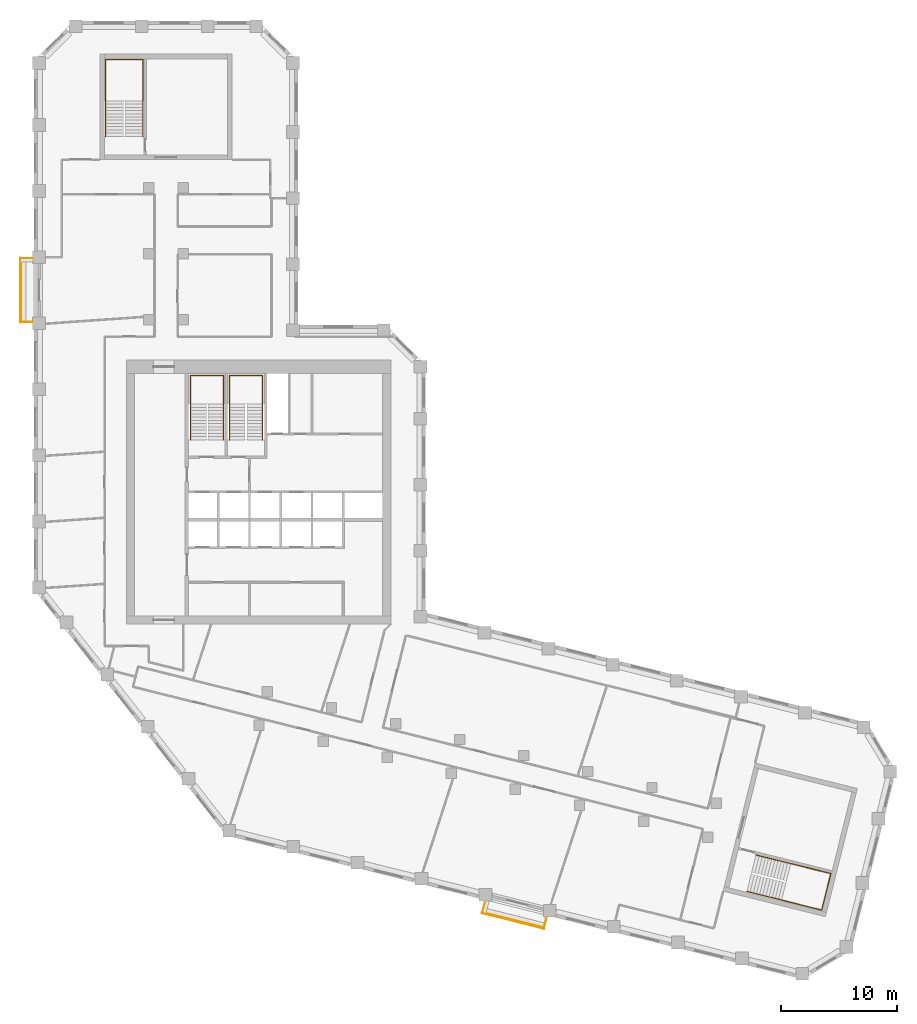
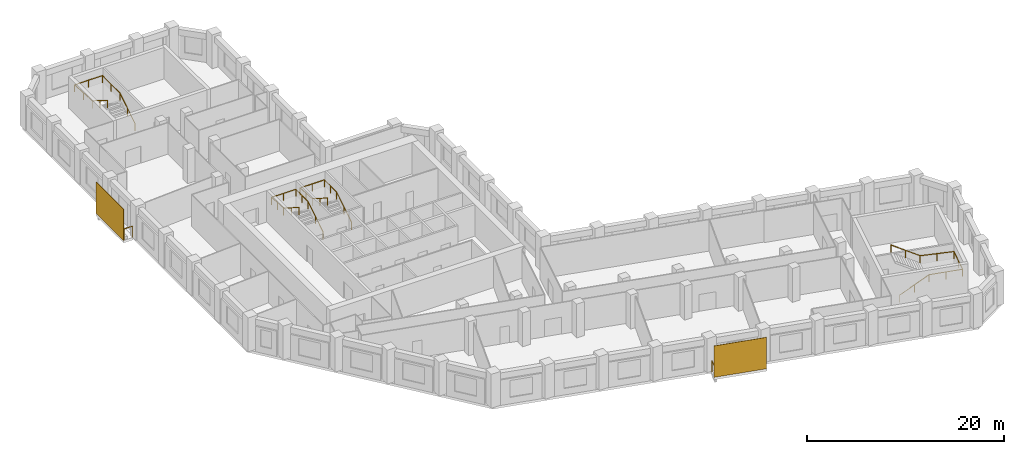
# One storey, part 10 of 10: 6 railings, 2 shading devices.
"""IFC4 building model written with IfcOpenShell, lengths in metres."""

from ifc_helpers import new_model, si_unit, direction, frame, origin, origin_2d, place, context, subcontext, project, spatial, rectangle, circle, extrude, material, layer, layer_set, type_object, element, save


model = new_model("IFC4")

# Units and contexts
model_context = context("Model", 3, precision=1e-05, world=origin(), true_north=direction((0.0, 1.0)))
body_context = subcontext(model_context, "Body", "Model", "MODEL_VIEW")
ifc_project = project(units=[si_unit("LENGTHUNIT", "METRE"), si_unit("AREAUNIT", "SQUARE_METRE"), si_unit("VOLUMEUNIT", "CUBIC_METRE"), si_unit("PLANEANGLEUNIT", "RADIAN"), si_unit("MASSUNIT", "GRAM", prefix="KILO")], contexts=[model_context])

# Site, building, storey
site_placement = place(None, origin())
site = spatial("IfcSite", under=ifc_project, at=site_placement, CompositionType="ELEMENT")
building_placement = place(site_placement, origin())
building = spatial("IfcBuilding", under=site, at=building_placement, Name="Meshkara Civic Tower", CompositionType="ELEMENT")
storey_placement = place(building_placement, frame((0.0, 0.0, 238.199951171875)))
storey = spatial("IfcBuildingStorey", under=building, at=storey_placement, Name="L54", CompositionType="ELEMENT", Elevation=238.199951171875)

# Railings
ifc_material_1 = material(Name="Steel S355", Category="steel")
railing_type_1 = type_object("IfcRailingType", Name="BALUSTRADE GUARD 1400", PredefinedType="BALUSTRADE", material=ifc_material_1)
railing_1_placement = place(storey_placement, frame((-0.10009765625, 45.635009765625, 0.0)))
element("IfcRailing", 1, at=railing_1_placement, inside=storey, type_object=railing_type_1, Name="Balcony guard", PredefinedType="BALUSTRADE", context=body_context, shape_type="SweptSolid", body=[
    extrude(circle(Radius=0.02392578125, at=origin_2d()), frame((0.0, 0.0, 1.3759765625), z_axis=(-1.0, 0.0, 0.0), x_axis=(0.0, -1.0, 0.0)), (0.0, 0.0, 1.0), 1.010009765625),
    extrude(circle(Radius=0.02392578125, at=origin_2d()), frame((-1.010009765625, 0.0, 1.3759765625), z_axis=(0.0, -1.0, 0.0), x_axis=(1.0, 0.0, 0.0)), (0.0, 0.0, 1.0), 5.4599609375),
    extrude(circle(Radius=0.02392578125, at=origin_2d()), frame((-1.010009765625, -5.4599609375, 1.3759765625), z_axis=(1.0, 0.0, 0.0), x_axis=(0.0, 1.0, 0.0)), (0.0, 0.0, 1.0), 1.010009765625),
    extrude(circle(Radius=0.02099609375, at=origin_2d()), origin(), (0.0, 0.0, 1.0), 1.351806640625),
    extrude(circle(Radius=0.02099609375, at=origin_2d()), frame((-1.010009765625, 0.0, 0.0)), (0.0, 0.0, 1.0), 1.351806640625),
    extrude(circle(Radius=0.02099609375, at=origin_2d()), frame((-1.010009765625, -1.092041015625, 0.0)), (0.0, 0.0, 1.0), 1.351806640625),
    extrude(circle(Radius=0.02099609375, at=origin_2d()), frame((-1.010009765625, -2.18408203125, 0.0)), (0.0, 0.0, 1.0), 1.351806640625),
    extrude(circle(Radius=0.02099609375, at=origin_2d()), frame((-1.010009765625, -3.27587890625, 0.0)), (0.0, 0.0, 1.0), 1.351806640625),
    extrude(circle(Radius=0.02099609375, at=origin_2d()), frame((-1.010009765625, -4.367919921875, 0.0)), (0.0, 0.0, 1.0), 1.351806640625),
    extrude(circle(Radius=0.02099609375, at=origin_2d()), frame((-1.010009765625, -5.4599609375, 0.0)), (0.0, 0.0, 1.0), 1.351806640625),
    extrude(circle(Radius=0.02099609375, at=origin_2d()), frame((0.0, -5.4599609375, 0.0)), (0.0, 0.0, 1.0), 1.351806640625),
])
railing_2_placement = place(storey_placement, frame((38.928955078125, -9.928955078125, 0.0)))
element("IfcRailing", 2, at=railing_2_placement, inside=storey, type_object=railing_type_1, Name="Balcony guard", PredefinedType="BALUSTRADE", context=body_context, shape_type="SweptSolid", body=[
    extrude(circle(Radius=0.02392578125, at=origin_2d()), frame((0.0, 0.0, 1.3759765625), z_axis=(-0.241828319243, -0.97031905269, 0.0), x_axis=(0.97031905269, -0.241828319243, 0.0)), (0.0, 0.0, 1.0), 0.8935546875),
    extrude(circle(Radius=0.02392578125, at=origin_2d()), frame((-0.216064453125, -0.866943359375, 1.3759765625), z_axis=(0.970292231073, -0.24193591366, 0.0), x_axis=(0.24193591366, 0.970292231073, 0.0)), (0.0, 0.0, 1.0), 5.460205078125),
    extrude(circle(Radius=0.02392578125, at=origin_2d()), frame((5.08203125, -2.18798828125, 1.3759765625), z_axis=(0.241828319243, 0.97031905269, 0.0), x_axis=(-0.97031905269, 0.241828319243, 0.0)), (0.0, 0.0, 1.0), 0.8935546875),
    extrude(circle(Radius=0.02099609375, at=origin_2d()), origin(), (0.0, 0.0, 1.0), 1.351806640625),
    extrude(circle(Radius=0.02099609375, at=origin_2d()), frame((-0.216064453125, -0.866943359375, 0.0)), (0.0, 0.0, 1.0), 1.351806640625),
    extrude(circle(Radius=0.02099609375, at=origin_2d()), frame((0.843505859375, -1.131103515625, 0.0)), (0.0, 0.0, 1.0), 1.351806640625),
    extrude(circle(Radius=0.02099609375, at=origin_2d()), frame((1.903076171875, -1.395263671875, 0.0)), (0.0, 0.0, 1.0), 1.351806640625),
    extrude(circle(Radius=0.02099609375, at=origin_2d()), frame((2.962890625, -1.65966796875, 0.0)), (0.0, 0.0, 1.0), 1.351806640625),
    extrude(circle(Radius=0.02099609375, at=origin_2d()), frame((4.0224609375, -1.923828125, 0.0)), (0.0, 0.0, 1.0), 1.351806640625),
    extrude(circle(Radius=0.02099609375, at=origin_2d()), frame((5.08203125, -2.18798828125, 0.0)), (0.0, 0.0, 1.0), 1.351806640625),
    extrude(circle(Radius=0.02099609375, at=origin_2d()), frame((5.298095703125, -1.321044921875, 0.0)), (0.0, 0.0, 1.0), 1.351806640625),
])

# Shading devices
ifc_material_2 = material(Name="Perforated bronze anodised aluminium sheet", Category="aluminium")
ifc_layer = layer(ifc_material_2, 0.0400390625)
ifc_layer_set = layer_set([ifc_layer], Name="PERFORATED BRONZE SCREEN")
shading_device_type = type_object("IfcShadingDeviceType", Name="PERFORATED BRONZE SCREEN", PredefinedType="USERDEFINED", material=ifc_layer_set)
for number, where, z_axis, x_axis, name in (
    (3, (-1.179931640625, 42.905029296875, 0.0), (0.0, 0.0, 1.0), (0.0, -1.0, 0.0), "Balcony screen"),
    (4, (41.344970703125, -11.52392578125, 0.0), (0.0, 0.0, 1.0), (0.970299948462, -0.241904960708, 0.0), "Balcony screen"),
):
    element("IfcShadingDevice", number, at=place(storey_placement, frame(where, z_axis=z_axis, x_axis=x_axis)), inside=storey, type_object=shading_device_type, Name=name, ObjectType="SCREEN", PredefinedType="USERDEFINED", context=body_context, shape_type="SweptSolid", body=[
        extrude(rectangle(XDim=5.580078125, YDim=0.0400390625, at=origin_2d()), origin(), (0.0, 0.0, 1.0), 3.89990234375),
    ])

# Railings
ifc_material_3 = material(Name="Steel handrail", Category="steel")
railing_type_2 = type_object("IfcRailingType", Name="Stair handrail 900", PredefinedType="HANDRAIL", material=ifc_material_3)
railing_3_placement = place(storey_placement, frame((16.375, 30.0, 0.175048828125)))
element("IfcRailing", 5, at=railing_3_placement, inside=storey, type_object=railing_type_2, Name="L54 ST1 stair handrail 1", PredefinedType="HANDRAIL", context=body_context, shape_type="SweptSolid", body=[
    extrude(circle(Radius=0.02392578125, at=origin_2d()), frame((0.0, 0.0, 0.8759765625), z_axis=(0.0, 0.847998304005, 0.529998940003), x_axis=(-1.0, 0.0, 0.0)), (0.0, 0.0, 1.0), 3.632080078125),
    extrude(circle(Radius=0.02392578125, at=origin_2d()), frame((0.0, 3.080078125, 2.80078125), z_axis=(0.0, 1.0, 0.0), x_axis=(-1.0, 0.0, 0.0)), (0.0, 0.0, 1.0), 2.469970703125),
    extrude(circle(Radius=0.02392578125, at=origin_2d()), frame((0.0, 5.550048828125, 2.80078125), z_axis=(-1.0, 0.0, 0.0), x_axis=(0.0, -1.0, 0.0)), (0.0, 0.0, 1.0), 2.85009765625),
    extrude(circle(Radius=0.02392578125, at=origin_2d()), frame((-2.85009765625, 5.550048828125, 2.80078125), z_axis=(0.0, -0.997498084828, 0.070693498747), x_axis=(1.0, 0.0, 0.0)), (0.0, 0.0, 1.0), 2.47607421875),
    extrude(circle(Radius=0.02392578125, at=origin_2d()), frame((-2.85009765625, 3.080078125, 2.97607421875), z_axis=(0.0, -0.848028513186, 0.529950602248), x_axis=(1.0, 0.0, 0.0)), (0.0, 0.0, 1.0), 3.632080078125),
    extrude(circle(Radius=0.02099609375, at=origin_2d()), origin(), (0.0, 0.0, 1.0), 0.851806640625),
    extrude(circle(Radius=0.02099609375, at=origin_2d()), frame((0.0, 1.5400390625, 0.96240234375)), (0.0, 0.0, 1.0), 0.851806640625),
    extrude(circle(Radius=0.02099609375, at=origin_2d()), frame((0.0, 3.080078125, 1.925048828125)), (0.0, 0.0, 1.0), 0.851806640625),
    extrude(circle(Radius=0.02099609375, at=origin_2d()), frame((0.0, 4.31494140625, 1.925048828125)), (0.0, 0.0, 1.0), 0.851806640625),
    extrude(circle(Radius=0.02099609375, at=origin_2d()), frame((0.0, 5.550048828125, 1.925048828125)), (0.0, 0.0, 1.0), 0.851806640625),
    extrude(circle(Radius=0.02099609375, at=origin_2d()), frame((-1.425048828125, 5.550048828125, 1.925048828125)), (0.0, 0.0, 1.0), 0.851806640625),
    extrude(circle(Radius=0.02099609375, at=origin_2d()), frame((-2.85009765625, 5.550048828125, 1.925048828125)), (0.0, 0.0, 1.0), 0.851806640625),
    extrude(circle(Radius=0.02099609375, at=origin_2d()), frame((-2.85009765625, 4.31494140625, 2.0126953125)), (0.0, 0.0, 1.0), 0.851806640625),
    extrude(circle(Radius=0.02099609375, at=origin_2d()), frame((-2.85009765625, 3.080078125, 2.10009765625)), (0.0, 0.0, 1.0), 0.851806640625),
    extrude(circle(Radius=0.02099609375, at=origin_2d()), frame((-2.85009765625, 1.5400390625, 3.0625)), (0.0, 0.0, 1.0), 0.851806640625),
    extrude(circle(Radius=0.02099609375, at=origin_2d()), frame((-2.85009765625, 0.0, 4.02490234375)), (0.0, 0.0, 1.0), 0.851806640625),
])
railing_4_placement = place(storey_placement, frame((19.72509765625, 30.0, 0.175048828125)))
element("IfcRailing", 6, at=railing_4_placement, inside=storey, type_object=railing_type_2, Name="L54 ST2 stair handrail 1", PredefinedType="HANDRAIL", context=body_context, shape_type="SweptSolid", body=[
    extrude(circle(Radius=0.02392578125, at=origin_2d()), frame((0.0, 0.0, 0.8759765625), z_axis=(0.0, 0.847998304005, 0.529998940003), x_axis=(-1.0, 0.0, 0.0)), (0.0, 0.0, 1.0), 3.632080078125),
    extrude(circle(Radius=0.02392578125, at=origin_2d()), frame((0.0, 3.080078125, 2.80078125), z_axis=(0.0, 1.0, 0.0), x_axis=(-1.0, 0.0, 0.0)), (0.0, 0.0, 1.0), 2.469970703125),
    extrude(circle(Radius=0.02392578125, at=origin_2d()), frame((0.0, 5.550048828125, 2.80078125), z_axis=(-1.0, 0.0, 0.0), x_axis=(0.0, -1.0, 0.0)), (0.0, 0.0, 1.0), 2.85009765625),
    extrude(circle(Radius=0.02392578125, at=origin_2d()), frame((-2.85009765625, 5.550048828125, 2.80078125), z_axis=(0.0, -0.997498084828, 0.070693498747), x_axis=(1.0, 0.0, 0.0)), (0.0, 0.0, 1.0), 2.47607421875),
    extrude(circle(Radius=0.02392578125, at=origin_2d()), frame((-2.85009765625, 3.080078125, 2.97607421875), z_axis=(0.0, -0.848028513186, 0.529950602248), x_axis=(1.0, 0.0, 0.0)), (0.0, 0.0, 1.0), 3.632080078125),
    extrude(circle(Radius=0.02099609375, at=origin_2d()), origin(), (0.0, 0.0, 1.0), 0.851806640625),
    extrude(circle(Radius=0.02099609375, at=origin_2d()), frame((0.0, 1.5400390625, 0.96240234375)), (0.0, 0.0, 1.0), 0.851806640625),
    extrude(circle(Radius=0.02099609375, at=origin_2d()), frame((0.0, 3.080078125, 1.925048828125)), (0.0, 0.0, 1.0), 0.851806640625),
    extrude(circle(Radius=0.02099609375, at=origin_2d()), frame((0.0, 4.31494140625, 1.925048828125)), (0.0, 0.0, 1.0), 0.851806640625),
    extrude(circle(Radius=0.02099609375, at=origin_2d()), frame((0.0, 5.550048828125, 1.925048828125)), (0.0, 0.0, 1.0), 0.851806640625),
    extrude(circle(Radius=0.02099609375, at=origin_2d()), frame((-1.425048828125, 5.550048828125, 1.925048828125)), (0.0, 0.0, 1.0), 0.851806640625),
    extrude(circle(Radius=0.02099609375, at=origin_2d()), frame((-2.85009765625, 5.550048828125, 1.925048828125)), (0.0, 0.0, 1.0), 0.851806640625),
    extrude(circle(Radius=0.02099609375, at=origin_2d()), frame((-2.85009765625, 4.31494140625, 2.0126953125)), (0.0, 0.0, 1.0), 0.851806640625),
    extrude(circle(Radius=0.02099609375, at=origin_2d()), frame((-2.85009765625, 3.080078125, 2.10009765625)), (0.0, 0.0, 1.0), 0.851806640625),
    extrude(circle(Radius=0.02099609375, at=origin_2d()), frame((-2.85009765625, 1.5400390625, 3.0625)), (0.0, 0.0, 1.0), 0.851806640625),
    extrude(circle(Radius=0.02099609375, at=origin_2d()), frame((-2.85009765625, 0.0, 4.02490234375)), (0.0, 0.0, 1.0), 0.851806640625),
])
railing_5_placement = place(storey_placement, frame((9.425048828125, 56.169921875, 0.175048828125)))
element("IfcRailing", 7, at=railing_5_placement, inside=storey, type_object=railing_type_2, Name="L54 ESA4 stair handrail 1", PredefinedType="HANDRAIL", context=body_context, shape_type="SweptSolid", body=[
    extrude(circle(Radius=0.02392578125, at=origin_2d()), frame((0.0, 0.0, 0.8759765625), z_axis=(0.0, 0.847998304005, 0.529998940003), x_axis=(-1.0, 0.0, 0.0)), (0.0, 0.0, 1.0), 3.632080078125),
    extrude(circle(Radius=0.02392578125, at=origin_2d()), frame((0.0, 3.080078125, 2.80078125), z_axis=(0.0, 1.0, 0.0), x_axis=(-1.0, 0.0, 0.0)), (0.0, 0.0, 1.0), 3.570068359375),
    extrude(circle(Radius=0.02392578125, at=origin_2d()), frame((0.0, 6.650146484375, 2.80078125), z_axis=(-1.0, 0.0, 0.0), x_axis=(0.0, -1.0, 0.0)), (0.0, 0.0, 1.0), 3.25),
    extrude(circle(Radius=0.02392578125, at=origin_2d()), frame((-3.25, 6.650146484375, 2.80078125), z_axis=(0.0, -0.998800077689, 0.048973511297), x_axis=(1.0, 0.0, 0.0)), (0.0, 0.0, 1.0), 3.574462890625),
    extrude(circle(Radius=0.02392578125, at=origin_2d()), frame((-3.25, 3.080078125, 2.97607421875), z_axis=(0.0, -0.848028513186, 0.529950602248), x_axis=(1.0, 0.0, 0.0)), (0.0, 0.0, 1.0), 3.632080078125),
    extrude(circle(Radius=0.02099609375, at=origin_2d()), origin(), (0.0, 0.0, 1.0), 0.851806640625),
    extrude(circle(Radius=0.02099609375, at=origin_2d()), frame((0.0, 1.5400390625, 0.96240234375)), (0.0, 0.0, 1.0), 0.851806640625),
    extrude(circle(Radius=0.02099609375, at=origin_2d()), frame((0.0, 3.080078125, 1.925048828125)), (0.0, 0.0, 1.0), 0.851806640625),
    extrude(circle(Radius=0.02099609375, at=origin_2d()), frame((0.0, 4.865234375, 1.925048828125)), (0.0, 0.0, 1.0), 0.851806640625),
    extrude(circle(Radius=0.02099609375, at=origin_2d()), frame((0.0, 6.650146484375, 1.925048828125)), (0.0, 0.0, 1.0), 0.851806640625),
    extrude(circle(Radius=0.02099609375, at=origin_2d()), frame((-1.625, 6.650146484375, 1.925048828125)), (0.0, 0.0, 1.0), 0.851806640625),
    extrude(circle(Radius=0.02099609375, at=origin_2d()), frame((-3.25, 6.650146484375, 1.925048828125)), (0.0, 0.0, 1.0), 0.851806640625),
    extrude(circle(Radius=0.02099609375, at=origin_2d()), frame((-3.25, 4.865234375, 2.0126953125)), (0.0, 0.0, 1.0), 0.851806640625),
    extrude(circle(Radius=0.02099609375, at=origin_2d()), frame((-3.25, 3.080078125, 2.10009765625)), (0.0, 0.0, 1.0), 0.851806640625),
    extrude(circle(Radius=0.02099609375, at=origin_2d()), frame((-3.25, 1.5400390625, 3.0625)), (0.0, 0.0, 1.0), 0.851806640625),
    extrude(circle(Radius=0.02099609375, at=origin_2d()), frame((-3.25, 0.0, 4.02490234375)), (0.0, 0.0, 1.0), 0.851806640625),
])
railing_6_placement = place(storey_placement, frame((61.526123046875, -8.97607421875, 0.175048828125)))
element("IfcRailing", 8, at=railing_6_placement, inside=storey, type_object=railing_type_2, Name="L54 ESB4 stair handrail 1", PredefinedType="HANDRAIL", context=body_context, shape_type="SweptSolid", body=[
    extrude(circle(Radius=0.02392578125, at=origin_2d()), frame((0.0, 0.0, 0.8759765625), z_axis=(0.822771605551, -0.205222362071, 0.530028930537), x_axis=(0.242013336109, 0.97027292302, 0.0)), (0.0, 0.0, 1.0), 3.632080078125),
    extrude(circle(Radius=0.02392578125, at=origin_2d()), frame((2.98828125, -0.745361328125, 2.80078125), z_axis=(0.97025503065, -0.242085058395, 0.0), x_axis=(0.242085058395, 0.97025503065, 0.0)), (0.0, 0.0, 1.0), 3.570068359375),
    extrude(circle(Radius=0.02392578125, at=origin_2d()), frame((6.4521484375, -1.609619140625, 2.80078125), z_axis=(0.242040676986, 0.970266103027, 0.0), x_axis=(-0.970266103027, 0.242040676986, 0.0)), (0.0, 0.0, 1.0), 3.25),
    extrude(circle(Radius=0.02392578125, at=origin_2d()), frame((7.23876953125, 1.543701171875, 2.80078125), z_axis=(-0.969086635977, 0.241810579499, 0.04897688856), x_axis=(-0.24210112213, -0.970251022501, 0.0)), (0.0, 0.0, 1.0), 3.57421875),
    extrude(circle(Radius=0.02392578125, at=origin_2d()), frame((3.775146484375, 2.407958984375, 2.97607421875), z_axis=(-0.822822630281, 0.20521832287, 0.52995127989), x_axis=(-0.24199472324, -0.970277565403, 0.0)), (0.0, 0.0, 1.0), 3.632080078125),
    extrude(circle(Radius=0.02099609375, at=origin_2d()), origin(), (0.0, 0.0, 1.0), 0.851806640625),
    extrude(circle(Radius=0.02099609375, at=origin_2d()), frame((1.494140625, -0.37255859375, 0.96240234375)), (0.0, 0.0, 1.0), 0.851806640625),
    extrude(circle(Radius=0.02099609375, at=origin_2d()), frame((2.98828125, -0.745361328125, 1.925048828125)), (0.0, 0.0, 1.0), 0.851806640625),
    extrude(circle(Radius=0.02099609375, at=origin_2d()), frame((4.72021484375, -1.177490234375, 1.925048828125)), (0.0, 0.0, 1.0), 0.851806640625),
    extrude(circle(Radius=0.02099609375, at=origin_2d()), frame((6.4521484375, -1.609619140625, 1.925048828125)), (0.0, 0.0, 1.0), 0.851806640625),
    extrude(circle(Radius=0.02099609375, at=origin_2d()), frame((6.845458984375, -0.032958984375, 1.925048828125)), (0.0, 0.0, 1.0), 0.851806640625),
    extrude(circle(Radius=0.02099609375, at=origin_2d()), frame((7.23876953125, 1.543701171875, 1.925048828125)), (0.0, 0.0, 1.0), 0.851806640625),
    extrude(circle(Radius=0.02099609375, at=origin_2d()), frame((5.5068359375, 1.975830078125, 2.0126953125)), (0.0, 0.0, 1.0), 0.851806640625),
    extrude(circle(Radius=0.02099609375, at=origin_2d()), frame((3.775146484375, 2.407958984375, 2.10009765625)), (0.0, 0.0, 1.0), 0.851806640625),
    extrude(circle(Radius=0.02099609375, at=origin_2d()), frame((2.28076171875, 2.78076171875, 3.0625)), (0.0, 0.0, 1.0), 0.851806640625),
    extrude(circle(Radius=0.02099609375, at=origin_2d()), frame((0.78662109375, 3.1533203125, 4.02490234375)), (0.0, 0.0, 1.0), 0.851806640625),
])

save(model, "model.ifc")
